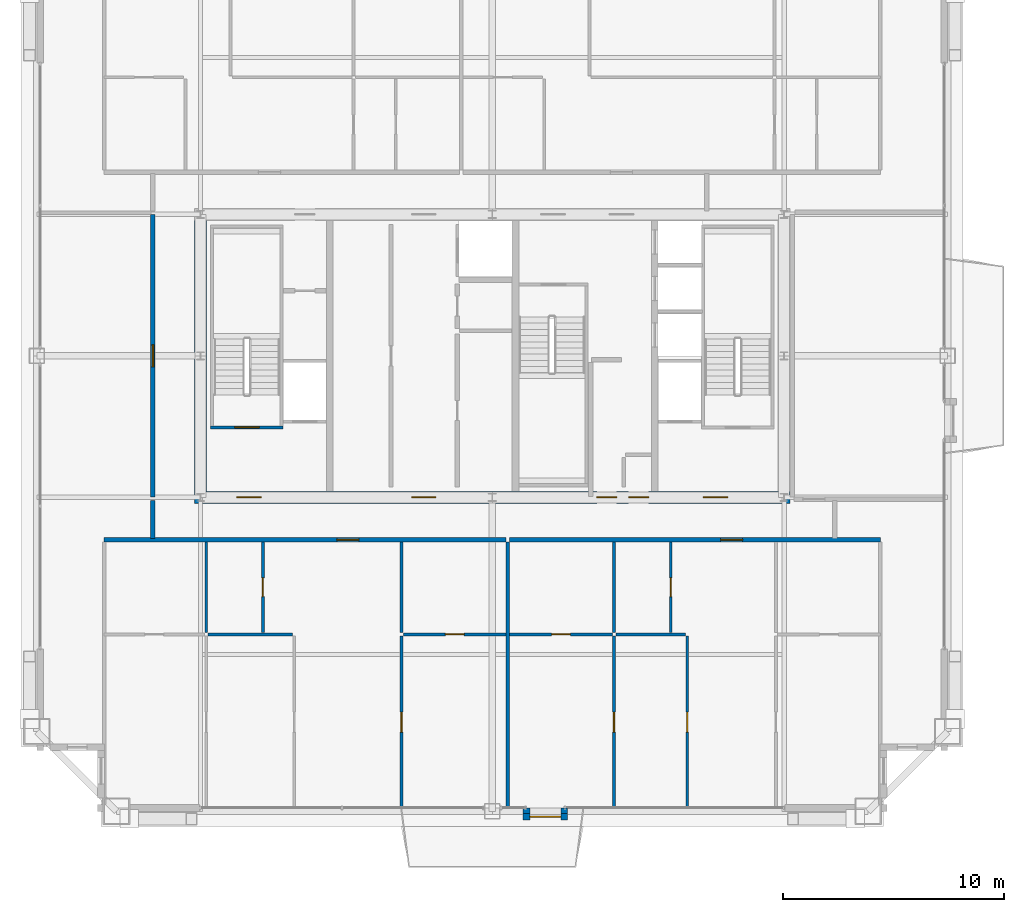
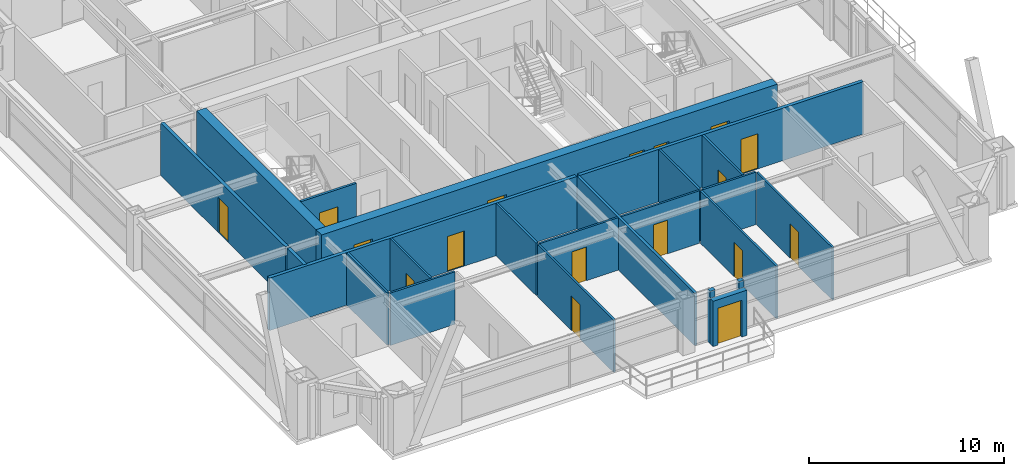
# One storey, part 32 of 37: 23 walls, 17 doors, 17 openings.
"""IFC4 building model written with IfcOpenShell, lengths in metres."""

from ifc_helpers import new_model, si_unit, direction, frame, frame_2d, origin, place, context, subcontext, project, spatial, rectangle, extrude, source, transform, mapped, material, layer, layer_set, type_object, element, fill, save


model = new_model("IFC4")

# Units and contexts
model_context = context("Model", 3, precision=1e-05, world=origin(), true_north=direction((0.0, 1.0)))
body_context = subcontext(model_context, "Body", "Model", "MODEL_VIEW")
ifc_project = project(units=[si_unit("LENGTHUNIT", "METRE"), si_unit("AREAUNIT", "SQUARE_METRE"), si_unit("VOLUMEUNIT", "CUBIC_METRE"), si_unit("PLANEANGLEUNIT", "RADIAN"), si_unit("MASSUNIT", "GRAM", prefix="KILO"), si_unit("THERMODYNAMICTEMPERATUREUNIT", "KELVIN"), si_unit("POWERUNIT", "WATT")], contexts=[model_context])

# Site, building, storey
site_placement = place(None, origin())
site = spatial("IfcSite", under=ifc_project, at=site_placement, CompositionType="ELEMENT")
building_placement = place(site_placement, origin())
building = spatial("IfcBuilding", under=site, at=building_placement, Name="Yuzanri Waterfront Tower", CompositionType="ELEMENT")
storey_placement = place(building_placement, frame((0.0, 0.0, 278.60009765625)))
storey = spatial("IfcBuildingStorey", under=building, at=storey_placement, Name="L74", CompositionType="ELEMENT", Elevation=278.60009765625)

# Wall, opening, door
ifc_material_1 = material(Name="Moisture-Resistant Gypsum Stud Wall", Category="gypsum")
ifc_layer_1 = layer(ifc_material_1, 0.1201171875)
ifc_layer_set_1 = layer_set([ifc_layer_1], Name="Moisture-Resistant Gypsum Stud Wall")
wall_type_1 = type_object("IfcWallType", Name="Bathroom and Kitchen Wet Partition 120", PredefinedType="PARTITIONING", material=ifc_layer_set_1)
wall_1_placement = place(storey_placement, frame((26.625, 13.280029296875, 0.0), z_axis=(0.0, 0.0, 1.0), x_axis=(0.0, 1.0, 0.0)))
wall_1 = element("IfcWall", 1, at=wall_1_placement, inside=storey, type_object=wall_type_1, Name="L74 Partition UW-L74-HS1-SUB-2-E", PredefinedType="PARTITIONING", context=body_context, shape_type="SweptSolid", body=[
    extrude(rectangle(XDim=4.10986328125, YDim=0.1201171875, at=frame_2d((2.054931640625, 0.0))), origin(), (0.0, 0.0, 1.0), 3.27978515625),
])
opening_1_placement = place(wall_1_placement, frame((1.6298828125, 0.0, 0.0)))
opening_1 = element("IfcOpeningElement", 2, at=opening_1_placement, cuts=wall_1, Name="Opening ID-0850", PredefinedType="OPENING", context=body_context, shape_type="SweptSolid", body=[
    extrude(rectangle(XDim=0.85009765625, YDim=2.10009765625, at=frame_2d((0.425048828125, 1.050048828125))), frame((0.0, 0.074951171875, 0.0), z_axis=(0.0, -1.0, 0.0), x_axis=(1.0, 0.0, 0.0)), (0.0, 0.0, 1.0), 0.14990234375),
])
ifc_material_2 = material(Name="Moisture-Resistant Lacquered Timber", Category="wood")
door_type_1 = type_object("IfcDoorType", Name="En-Suite Bathroom and Kitchen Swing Door 850x2100", OperationType="NOTDEFINED", PredefinedType="DOOR", material=ifc_material_2)
shared_shape_1 = source(origin(), body_context, "Body", "SweptSolid", [
    extrude(rectangle(XDim=0.85009765625, YDim=2.10009765625, at=frame_2d((0.425048828125, 1.050048828125))), frame((0.0, 0.02490234375, 0.0), z_axis=(0.0, -1.0, 0.0), x_axis=(1.0, 0.0, 0.0)), (0.0, 0.0, 1.0), 0.050048828125),
])
door_1_placement = place(opening_1_placement, origin())
door_1 = element("IfcDoor", 3, at=door_1_placement, inside=storey, type_object=door_type_1, Name="L74 Suite Interior Room Door", OperationType="SINGLE_SWING_LEFT", OverallHeight=2.10009765625, OverallWidth=0.85009765625, PredefinedType="DOOR", context=body_context, shape_type="MappedRepresentation", body=[
    mapped(shared_shape_1, transform((0.0, 0.0, 0.0), scale=1.0)),
])
fill(opening_1, door_1)

wall_2_placement = place(storey_placement, frame((32.97509765625, 13.199951171875, 0.0), z_axis=(0.0, 0.0, 1.0), x_axis=(1.0, 0.0, 0.0)))
wall_2 = element("IfcWall", 4, at=wall_2_placement, inside=storey, type_object=wall_type_1, Name="L74 Partition UW-L74-HS1-SUB-3-S", PredefinedType="PARTITIONING", context=body_context, shape_type="SweptSolid", body=[
    extrude(rectangle(XDim=4.64697265625, YDim=0.1201171875, at=frame_2d((2.323486328125, 0.0))), origin(), (0.0, 0.0, 1.0), 3.27978515625),
])
opening_2_placement = place(wall_2_placement, frame((1.8984375, 0.0, 0.0)))
opening_2 = element("IfcOpeningElement", 5, at=opening_2_placement, cuts=wall_2, Name="Opening ID-0850", PredefinedType="OPENING", context=body_context, shape_type="SweptSolid", body=[
    extrude(rectangle(XDim=0.85009765625, YDim=2.10009765625, at=frame_2d((0.425048828125, 1.050048828125))), frame((0.0, 0.074951171875, 0.0), z_axis=(0.0, -1.0, 0.0), x_axis=(1.0, 0.0, 0.0)), (0.0, 0.0, 1.0), 0.14990234375),
])
door_2_placement = place(opening_2_placement, origin())
door_2 = element("IfcDoor", 6, at=door_2_placement, inside=storey, type_object=door_type_1, Name="L74 Suite Interior Room Door", OperationType="SINGLE_SWING_RIGHT", OverallHeight=2.10009765625, OverallWidth=0.85009765625, PredefinedType="DOOR", context=body_context, shape_type="MappedRepresentation", body=[
    mapped(shared_shape_1, transform((0.0, 0.0, 0.0), scale=1.0)),
])
fill(opening_2, door_2)

wall_3_placement = place(storey_placement, frame((32.89501953125, 5.35009765625, 0.0), z_axis=(0.0, 0.0, 1.0), x_axis=(0.0, 1.0, 0.0)))
wall_3 = element("IfcWall", 7, at=wall_3_placement, inside=storey, type_object=wall_type_1, Name="L74 Partition UW-L74-HS1-SUB-5-W", PredefinedType="PARTITIONING", context=body_context, shape_type="SweptSolid", body=[
    extrude(rectangle(XDim=7.77001953125, YDim=0.1201171875, at=frame_2d((3.885009765625, 0.0))), origin(), (0.0, 0.0, 1.0), 3.27978515625),
])
opening_3_placement = place(wall_3_placement, frame((3.43505859375, 0.0, 0.0)))
opening_3 = element("IfcOpeningElement", 8, at=opening_3_placement, cuts=wall_3, Name="Opening ID-0900", PredefinedType="OPENING", context=body_context, shape_type="SweptSolid", body=[
    extrude(rectangle(XDim=0.89990234375, YDim=2.14990234375, at=frame_2d((0.449951171875, 1.074951171875))), frame((0.0, 0.074951171875, 0.0), z_axis=(0.0, -1.0, 0.0), x_axis=(1.0, 0.0, 0.0)), (0.0, 0.0, 1.0), 0.14990234375),
])
ifc_material_3 = material(Name="Stained Walnut Veneer Timber", Category="wood")
door_type_2 = type_object("IfcDoorType", Name="Bedroom and Study Interior Swing Door 900x2150", OperationType="NOTDEFINED", PredefinedType="DOOR", material=ifc_material_3)
shared_shape_2 = source(origin(), body_context, "Body", "SweptSolid", [
    extrude(rectangle(XDim=0.89990234375, YDim=2.14990234375, at=frame_2d((0.449951171875, 1.074951171875))), frame((0.0, 0.02490234375, 0.0), z_axis=(0.0, -1.0, 0.0), x_axis=(1.0, 0.0, 0.0)), (0.0, 0.0, 1.0), 0.050048828125),
])
door_3_placement = place(opening_3_placement, origin())
door_3 = element("IfcDoor", 9, at=door_3_placement, inside=storey, type_object=door_type_2, Name="L74 Suite Interior Room Door", OperationType="SINGLE_SWING_RIGHT", OverallHeight=2.14990234375, OverallWidth=0.89990234375, PredefinedType="DOOR", context=body_context, shape_type="MappedRepresentation", body=[
    mapped(shared_shape_2, transform((0.0, 0.0, 0.0), scale=1.0)),
])
fill(opening_3, door_3)

wall_4_placement = place(storey_placement, frame((37.781982421875, 13.199951171875, 0.0), z_axis=(0.0, 0.0, 1.0), x_axis=(1.0, 0.0, 0.0)))
wall_4 = element("IfcWall", 10, at=wall_4_placement, inside=storey, type_object=wall_type_1, Name="L74 Partition UW-L74-HS2-SUB-1-S", PredefinedType="PARTITIONING", context=body_context, shape_type="SweptSolid", body=[
    extrude(rectangle(XDim=4.64697265625, YDim=0.1201171875, at=frame_2d((2.323486328125, 0.0))), origin(), (0.0, 0.0, 1.0), 3.27978515625),
])
opening_4_placement = place(wall_4_placement, frame((1.8984375, 0.0, 0.0)))
opening_4 = element("IfcOpeningElement", 11, at=opening_4_placement, cuts=wall_4, Name="Opening ID-0850", PredefinedType="OPENING", context=body_context, shape_type="SweptSolid", body=[
    extrude(rectangle(XDim=0.85009765625, YDim=2.10009765625, at=frame_2d((0.425048828125, 1.050048828125))), frame((0.0, 0.074951171875, 0.0), z_axis=(0.0, -1.0, 0.0), x_axis=(1.0, 0.0, 0.0)), (0.0, 0.0, 1.0), 0.14990234375),
])
door_4_placement = place(opening_4_placement, origin())
door_4 = element("IfcDoor", 12, at=door_4_placement, inside=storey, type_object=door_type_1, Name="L74 Suite Interior Room Door", OperationType="SINGLE_SWING_LEFT", OverallHeight=2.10009765625, OverallWidth=0.85009765625, PredefinedType="DOOR", context=body_context, shape_type="MappedRepresentation", body=[
    mapped(shared_shape_1, transform((0.0, 0.0, 0.0), scale=1.0)),
])
fill(opening_4, door_4)

wall_5_placement = place(storey_placement, frame((45.069091796875, 13.280029296875, 0.0), z_axis=(0.0, 0.0, 1.0), x_axis=(0.0, 1.0, 0.0)))
wall_5 = element("IfcWall", 13, at=wall_5_placement, inside=storey, type_object=wall_type_1, Name="L74 Partition UW-L74-HS2-SUB-2-E", PredefinedType="PARTITIONING", context=body_context, shape_type="SweptSolid", body=[
    extrude(rectangle(XDim=4.10986328125, YDim=0.1201171875, at=frame_2d((2.054931640625, 0.0))), origin(), (0.0, 0.0, 1.0), 3.27978515625),
])
opening_5_placement = place(wall_5_placement, frame((1.6298828125, 0.0, 0.0)))
opening_5 = element("IfcOpeningElement", 14, at=opening_5_placement, cuts=wall_5, Name="Opening ID-0850", PredefinedType="OPENING", context=body_context, shape_type="SweptSolid", body=[
    extrude(rectangle(XDim=0.85009765625, YDim=2.10009765625, at=frame_2d((0.425048828125, 1.050048828125))), frame((0.0, 0.074951171875, 0.0), z_axis=(0.0, -1.0, 0.0), x_axis=(1.0, 0.0, 0.0)), (0.0, 0.0, 1.0), 0.14990234375),
])
door_5_placement = place(opening_5_placement, origin())
door_5 = element("IfcDoor", 15, at=door_5_placement, inside=storey, type_object=door_type_1, Name="L74 Suite Interior Room Door", OperationType="SINGLE_SWING_RIGHT", OverallHeight=2.10009765625, OverallWidth=0.85009765625, PredefinedType="DOOR", context=body_context, shape_type="MappedRepresentation", body=[
    mapped(shared_shape_1, transform((0.0, 0.0, 0.0), scale=1.0)),
])
fill(opening_5, door_5)

wall_6_placement = place(storey_placement, frame((42.509033203125, 5.35009765625, 0.0), z_axis=(0.0, 0.0, 1.0), x_axis=(0.0, 1.0, 0.0)))
wall_6 = element("IfcWall", 16, at=wall_6_placement, inside=storey, type_object=wall_type_1, Name="L74 Partition UW-L74-HS2-SUB-4-E", PredefinedType="PARTITIONING", context=body_context, shape_type="SweptSolid", body=[
    extrude(rectangle(XDim=7.77001953125, YDim=0.1201171875, at=frame_2d((3.885009765625, 0.0))), origin(), (0.0, 0.0, 1.0), 3.27978515625),
])
opening_6_placement = place(wall_6_placement, frame((3.43505859375, 0.0, 0.0)))
opening_6 = element("IfcOpeningElement", 17, at=opening_6_placement, cuts=wall_6, Name="Opening ID-0900", PredefinedType="OPENING", context=body_context, shape_type="SweptSolid", body=[
    extrude(rectangle(XDim=0.89990234375, YDim=2.14990234375, at=frame_2d((0.449951171875, 1.074951171875))), frame((0.0, 0.074951171875, 0.0), z_axis=(0.0, -1.0, 0.0), x_axis=(1.0, 0.0, 0.0)), (0.0, 0.0, 1.0), 0.14990234375),
])
door_6_placement = place(opening_6_placement, origin())
door_6 = element("IfcDoor", 18, at=door_6_placement, inside=storey, type_object=door_type_2, Name="L74 Suite Interior Room Door", OperationType="SINGLE_SWING_RIGHT", OverallHeight=2.14990234375, OverallWidth=0.89990234375, PredefinedType="DOOR", context=body_context, shape_type="MappedRepresentation", body=[
    mapped(shared_shape_2, transform((0.0, 0.0, 0.0), scale=1.0)),
])
fill(opening_6, door_6)

wall_7_placement = place(storey_placement, frame((45.821044921875, 5.35009765625, 0.0), z_axis=(0.0, 0.0, 1.0), x_axis=(0.0, 1.0, 0.0)))
wall_7 = element("IfcWall", 19, at=wall_7_placement, inside=storey, type_object=wall_type_1, Name="L74 Partition UW-L74-HS2-SUB-6-E", PredefinedType="PARTITIONING", context=body_context, shape_type="SweptSolid", body=[
    extrude(rectangle(XDim=7.77001953125, YDim=0.1201171875, at=frame_2d((3.885009765625, 0.0))), origin(), (0.0, 0.0, 1.0), 3.27978515625),
])
opening_7_placement = place(wall_7_placement, frame((3.43505859375, 0.0, 0.0)))
opening_7 = element("IfcOpeningElement", 20, at=opening_7_placement, cuts=wall_7, Name="Opening ID-0900", PredefinedType="OPENING", context=body_context, shape_type="SweptSolid", body=[
    extrude(rectangle(XDim=0.89990234375, YDim=2.14990234375, at=frame_2d((0.449951171875, 1.074951171875))), frame((0.0, 0.074951171875, 0.0), z_axis=(0.0, -1.0, 0.0), x_axis=(1.0, 0.0, 0.0)), (0.0, 0.0, 1.0), 0.14990234375),
])
door_7_placement = place(opening_7_placement, origin())
door_7 = element("IfcDoor", 21, at=door_7_placement, inside=storey, type_object=door_type_2, Name="L74 Suite Interior Room Door", OperationType="SINGLE_SWING_RIGHT", OverallHeight=2.14990234375, OverallWidth=0.89990234375, PredefinedType="DOOR", context=body_context, shape_type="MappedRepresentation", body=[
    mapped(shared_shape_2, transform((0.0, 0.0, 0.0), scale=1.0)),
])
fill(opening_7, door_7)

ifc_material_4 = material(Name="Honed Chongqing Dark Basalt Stone", Category="masonry")
ifc_layer_2 = layer(ifc_material_4, 0.300048828125)
ifc_layer_set_2 = layer_set([ifc_layer_2], Name="Honed Chongqing Dark Basalt Stone")
wall_type_2 = type_object("IfcWallType", Name="Bronze Rainscreen Insulated Spandrel Portal Wall 300", PredefinedType="SOLIDWALL", material=ifc_layer_set_2)
wall_8_placement = place(storey_placement, frame((38.39990234375, 4.949951171875, 0.0), z_axis=(0.0, 0.0, 1.0), x_axis=(1.0, 0.0, 0.0)))
wall_8 = element("IfcWall", 22, at=wall_8_placement, inside=storey, type_object=wall_type_2, Name="L74 S Terrace Door Portal Wall", PredefinedType="SOLIDWALL", context=body_context, shape_type="SweptSolid", body=[
    extrude(rectangle(XDim=2.0, YDim=0.300048828125, at=frame_2d((1.0, 0.0))), origin(), (0.0, 0.0, 1.0), 2.8349609375),
])
opening_8_placement = place(wall_8_placement, frame((0.300048828125, 0.0, 0.0)))
opening_8 = element("IfcOpeningElement", 23, at=opening_8_placement, cuts=wall_8, Name="Opening TD-1400", PredefinedType="OPENING", context=body_context, shape_type="SweptSolid", body=[
    extrude(rectangle(XDim=1.39990234375, YDim=2.300048828125, at=frame_2d((0.699951171875, 1.14990234375))), frame((0.0, 0.1650390625, 0.0), z_axis=(0.0, -1.0, 0.0), x_axis=(1.0, 0.0, 0.0)), (0.0, 0.0, 1.0), 0.329833984375),
])
ifc_material_5 = material(Name="Anodized Architectural Bronze", Category="metal")
door_type_3 = type_object("IfcDoorType", Name="Anodized Bronze Balcony and Terrace Glazed Double Door 1400x2300", OperationType="NOTDEFINED", PredefinedType="DOOR", material=ifc_material_5)
shared_shape_3 = source(origin(), body_context, "Body", "SweptSolid", [
    extrude(rectangle(XDim=1.39990234375, YDim=2.300048828125, at=frame_2d((0.699951171875, 1.14990234375))), frame((0.0, 0.02490234375, 0.0), z_axis=(0.0, -1.0, 0.0), x_axis=(1.0, 0.0, 0.0)), (0.0, 0.0, 1.0), 0.050048828125),
])
door_8_placement = place(opening_8_placement, origin())
door_8 = element("IfcDoor", 24, at=door_8_placement, inside=storey, type_object=door_type_3, Name="L74 S Terrace Glazed Double Door", OperationType="DOUBLE_DOOR_SINGLE_SWING", OverallHeight=2.300048828125, OverallWidth=1.39990234375, PredefinedType="DOOR", context=body_context, shape_type="MappedRepresentation", body=[
    mapped(shared_shape_3, transform((0.0, 0.0, 0.0), scale=1.0)),
])
fill(opening_8, door_8)

# Wall, openings, doors
ifc_material_6 = material(Name="Concrete C50", Category="concrete")
ifc_layer_3 = layer(ifc_material_6, 0.550048828125)
ifc_layer_set_3 = layer_set([ifc_layer_3], Name="Concrete C50")
wall_type_3 = type_object("IfcWallType", Name="Concrete C50 Upper-Mid Zone Core Shear Wall 550", PredefinedType="SHEAR", material=ifc_layer_set_3)
wall_9_placement = place(storey_placement, frame((23.52490234375, 19.39990234375, 0.0), z_axis=(0.0, 0.0, 1.0), x_axis=(1.0, 0.0, 0.0)))
wall_9 = element("IfcWall", 25, at=wall_9_placement, inside=storey, type_object=wall_type_3, Name="L74 Core South Shear Wall", PredefinedType="SHEAR", context=body_context, shape_type="SweptSolid", body=[
    extrude(rectangle(XDim=26.9501953125, YDim=0.550048828125, at=frame_2d((13.47509765625, 0.0))), origin(), (0.0, 0.0, 1.0), 3.5),
])
opening_9_placement = place(wall_9_placement, frame((1.925048828125, 0.0, 0.0)))
opening_9 = element("IfcOpeningElement", 26, at=opening_9_placement, cuts=wall_9, Name="Opening FD-1100", PredefinedType="OPENING", context=body_context, shape_type="SweptSolid", body=[
    extrude(rectangle(XDim=1.10009765625, YDim=2.199951171875, at=frame_2d((0.550048828125, 1.10009765625))), frame((0.0, 0.2900390625, 0.0), z_axis=(0.0, -1.0, 0.0), x_axis=(1.0, 0.0, 0.0)), (0.0, 0.0, 1.0), 0.579833984375),
])
opening_10_placement = place(wall_9_placement, frame((9.824951171875, 0.0, 0.0)))
opening_10 = element("IfcOpeningElement", 27, at=opening_10_placement, cuts=wall_9, Name="Opening FD-1100", PredefinedType="OPENING", context=body_context, shape_type="SweptSolid", body=[
    extrude(rectangle(XDim=1.10009765625, YDim=2.199951171875, at=frame_2d((0.550048828125, 1.10009765625))), frame((0.0, 0.2900390625, 0.0), z_axis=(0.0, -1.0, 0.0), x_axis=(1.0, 0.0, 0.0)), (0.0, 0.0, 1.0), 0.579833984375),
])
opening_11_placement = place(wall_9_placement, frame((23.02490234375, 0.0, 0.0)))
opening_11 = element("IfcOpeningElement", 28, at=opening_11_placement, cuts=wall_9, Name="Opening FD-1100", PredefinedType="OPENING", context=body_context, shape_type="SweptSolid", body=[
    extrude(rectangle(XDim=1.10009765625, YDim=2.199951171875, at=frame_2d((0.550048828125, 1.10009765625))), frame((0.0, 0.2900390625, 0.0), z_axis=(0.0, -1.0, 0.0), x_axis=(1.0, 0.0, 0.0)), (0.0, 0.0, 1.0), 0.579833984375),
])
opening_12_placement = place(wall_9_placement, frame((19.64501953125, 0.0, 0.0)))
opening_12 = element("IfcOpeningElement", 29, at=opening_12_placement, cuts=wall_9, Name="Opening FD-0900", PredefinedType="OPENING", context=body_context, shape_type="SweptSolid", body=[
    extrude(rectangle(XDim=0.89990234375, YDim=2.14990234375, at=frame_2d((0.449951171875, 1.074951171875))), frame((0.0, 0.2900390625, 0.0), z_axis=(0.0, -1.0, 0.0), x_axis=(1.0, 0.0, 0.0)), (0.0, 0.0, 1.0), 0.579833984375),
])
opening_13_placement = place(wall_9_placement, frame((18.205078125, 0.0, 0.0)))
opening_13 = element("IfcOpeningElement", 30, at=opening_13_placement, cuts=wall_9, Name="Opening FD-0900", PredefinedType="OPENING", context=body_context, shape_type="SweptSolid", body=[
    extrude(rectangle(XDim=0.89990234375, YDim=2.14990234375, at=frame_2d((0.449951171875, 1.074951171875))), frame((0.0, 0.2900390625, 0.0), z_axis=(0.0, -1.0, 0.0), x_axis=(1.0, 0.0, 0.0)), (0.0, 0.0, 1.0), 0.579833984375),
])
ifc_material_7 = material(Name="Painted Galvanized Fire Steel", Category="steel")
door_type_4 = type_object("IfcDoorType", Name="Smoke-Proof Stair and Lobby Fire Door 1100x2200", OperationType="NOTDEFINED", PredefinedType="DOOR", material=ifc_material_7)
shared_shape_4 = source(origin(), body_context, "Body", "SweptSolid", [
    extrude(rectangle(XDim=1.10009765625, YDim=2.199951171875, at=frame_2d((0.550048828125, 1.10009765625))), frame((0.0, 0.02490234375, 0.0), z_axis=(0.0, -1.0, 0.0), x_axis=(1.0, 0.0, 0.0)), (0.0, 0.0, 1.0), 0.050048828125),
])
door_9_placement = place(opening_9_placement, origin())
door_9 = element("IfcDoor", 31, at=door_9_placement, inside=storey, type_object=door_type_4, Name="L74 West Firefighting Lobby Door", OperationType="SINGLE_SWING_RIGHT", OverallHeight=2.199951171875, OverallWidth=1.10009765625, PredefinedType="DOOR", context=body_context, shape_type="MappedRepresentation", body=[
    mapped(shared_shape_4, transform((0.0, 0.0, 0.0), scale=1.0)),
])
fill(opening_9, door_9)
door_10_placement = place(opening_10_placement, origin())
door_10 = element("IfcDoor", 32, at=door_10_placement, inside=storey, type_object=door_type_4, Name="L74 Central Lift Lobby South Door", OperationType="SINGLE_SWING_LEFT", OverallHeight=2.199951171875, OverallWidth=1.10009765625, PredefinedType="DOOR", context=body_context, shape_type="MappedRepresentation", body=[
    mapped(shared_shape_4, transform((0.0, 0.0, 0.0), scale=1.0)),
])
fill(opening_10, door_10)
door_11_placement = place(opening_11_placement, origin())
door_11 = element("IfcDoor", 33, at=door_11_placement, inside=storey, type_object=door_type_4, Name="L74 East Firefighting Lobby Door", OperationType="SINGLE_SWING_RIGHT", OverallHeight=2.199951171875, OverallWidth=1.10009765625, PredefinedType="DOOR", context=body_context, shape_type="MappedRepresentation", body=[
    mapped(shared_shape_4, transform((0.0, 0.0, 0.0), scale=1.0)),
])
fill(opening_11, door_11)
ifc_material_8 = material(Name="Painted Galvanized Fire Steel", Category="steel")
door_type_5 = type_object("IfcDoorType", Name="Riser and Service Room Fire Door 900x2150", OperationType="NOTDEFINED", PredefinedType="DOOR", material=ifc_material_8)
shared_shape_5 = source(origin(), body_context, "Body", "SweptSolid", [
    extrude(rectangle(XDim=0.89990234375, YDim=2.14990234375, at=frame_2d((0.449951171875, 1.074951171875))), frame((0.0, 0.02490234375, 0.0), z_axis=(0.0, -1.0, 0.0), x_axis=(1.0, 0.0, 0.0)), (0.0, 0.0, 1.0), 0.050048828125),
])
door_12_placement = place(opening_12_placement, origin())
door_12 = element("IfcDoor", 34, at=door_12_placement, inside=storey, type_object=door_type_5, Name="L74 East Wet Riser Door", OperationType="SINGLE_SWING_LEFT", OverallHeight=2.14990234375, OverallWidth=0.89990234375, PredefinedType="DOOR", context=body_context, shape_type="MappedRepresentation", body=[
    mapped(shared_shape_5, transform((0.0, 0.0, 0.0), scale=1.0)),
])
fill(opening_12, door_12)
door_13_placement = place(opening_13_placement, origin())
door_13 = element("IfcDoor", 35, at=door_13_placement, inside=storey, type_object=door_type_5, Name="L74 Cleaners Store Room", OperationType="SINGLE_SWING_RIGHT", OverallHeight=2.14990234375, OverallWidth=0.89990234375, PredefinedType="DOOR", context=body_context, shape_type="MappedRepresentation", body=[
    mapped(shared_shape_5, transform((0.0, 0.0, 0.0), scale=1.0)),
])
fill(opening_13, door_13)

# Wall, opening, door
ifc_material_9 = material(Name="Concrete C40", Category="concrete")
ifc_layer_4 = layer(ifc_material_9, 0.139892578125)
ifc_layer_set_4 = layer_set([ifc_layer_4], Name="Concrete C40")
wall_type_4 = type_object("IfcWallType", Name="Core Stair Liner and Hoistway Shaft Wall 140", PredefinedType="SOLIDWALL", material=ifc_layer_set_4)
wall_10_placement = place(storey_placement, frame((24.260009765625, 22.570068359375, 0.0), z_axis=(0.0, 0.0, 1.0), x_axis=(1.0, 0.0, 0.0)))
wall_10 = element("IfcWall", 36, at=wall_10_placement, inside=storey, type_object=wall_type_4, Name="L74 Shaft Wall STW-L74-ST-01-S", PredefinedType="SOLIDWALL", context=body_context, shape_type="SweptSolid", body=[
    extrude(rectangle(XDim=3.280029296875, YDim=0.139892578125, at=frame_2d((1.64013671875, 0.0))), origin(), (0.0, 0.0, 1.0), 3.27978515625),
])
opening_14_placement = place(wall_10_placement, frame((1.090087890625, 0.0, 0.0)))
opening_14 = element("IfcOpeningElement", 37, at=opening_14_placement, cuts=wall_10, Name="Opening FD-1100", PredefinedType="OPENING", context=body_context, shape_type="SweptSolid", body=[
    extrude(rectangle(XDim=1.10009765625, YDim=2.199951171875, at=frame_2d((0.550048828125, 1.10009765625))), frame((0.0, 0.0849609375, 0.0), z_axis=(0.0, -1.0, 0.0), x_axis=(1.0, 0.0, 0.0)), (0.0, 0.0, 1.0), 0.169677734375),
])
door_14_placement = place(opening_14_placement, origin())
door_14 = element("IfcDoor", 38, at=door_14_placement, inside=storey, type_object=door_type_4, Name="L74 Stair ST-01 Fire Door", OperationType="SINGLE_SWING_LEFT", OverallHeight=2.199951171875, OverallWidth=1.10009765625, PredefinedType="DOOR", context=body_context, shape_type="MappedRepresentation", body=[
    mapped(shared_shape_4, transform((0.0, 0.0, 0.0), scale=1.0)),
])
fill(opening_14, door_14)

ifc_material_10 = material(Name="Autoclaved Aerated Concrete Blockwork", Category="masonry")
ifc_layer_5 = layer(ifc_material_10, 0.199951171875)
ifc_layer_set_5 = layer_set([ifc_layer_5], Name="Autoclaved Aerated Concrete Blockwork")
wall_type_5 = type_object("IfcWallType", Name="Corridor and Unit Party Fire Wall 200", PredefinedType="PARTITIONING", material=ifc_layer_set_5)
wall_11_placement = place(storey_placement, frame((19.43994140625, 17.489990234375, 0.0), z_axis=(0.0, 0.0, 1.0), x_axis=(1.0, 0.0, 0.0)))
wall_11 = element("IfcWall", 39, at=wall_11_placement, inside=storey, type_object=wall_type_5, Name="L74 Partition UW-L74-HS1-CN", PredefinedType="PARTITIONING", context=body_context, shape_type="SweptSolid", body=[
    extrude(rectangle(XDim=18.18212890625, YDim=0.199951171875, at=frame_2d((9.091064453125, 0.0))), origin(), (0.0, 0.0, 1.0), 3.27978515625),
])
opening_15_placement = place(wall_11_placement, frame((10.528076171875, 0.0, 0.0)))
opening_15 = element("IfcOpeningElement", 40, at=opening_15_placement, cuts=wall_11, Name="Opening FD-1000", PredefinedType="OPENING", context=body_context, shape_type="SweptSolid", body=[
    extrude(rectangle(XDim=1.0, YDim=2.199951171875, at=frame_2d((0.5, 1.10009765625))), frame((0.0, 0.11474609375, 0.0), z_axis=(0.0, -1.0, 0.0), x_axis=(1.0, 0.0, 0.0)), (0.0, 0.0, 1.0), 0.229736328125),
])
ifc_material_11 = material(Name="Engineered Oak Fire-Rated Timber", Category="wood")
door_type_6 = type_object("IfcDoorType", Name="Guestroom and Apartment Entrance Fire Door 1000x2200", OperationType="NOTDEFINED", PredefinedType="DOOR", material=ifc_material_11)
shared_shape_6 = source(origin(), body_context, "Body", "SweptSolid", [
    extrude(rectangle(XDim=1.0, YDim=2.199951171875, at=frame_2d((0.5, 1.10009765625))), frame((0.0, 0.02490234375, 0.0), z_axis=(0.0, -1.0, 0.0), x_axis=(1.0, 0.0, 0.0)), (0.0, 0.0, 1.0), 0.050048828125),
])
door_15_placement = place(opening_15_placement, origin())
door_15 = element("IfcDoor", 41, at=door_15_placement, inside=storey, type_object=door_type_6, Name="L74 Apartment Living and Dining Salon Entrance Door", OperationType="SINGLE_SWING_LEFT", OverallHeight=2.199951171875, OverallWidth=1.0, PredefinedType="DOOR", context=body_context, shape_type="MappedRepresentation", body=[
    mapped(shared_shape_6, transform((0.0, 0.0, 0.0), scale=1.0)),
])
fill(opening_15, door_15)

wall_12_placement = place(storey_placement, frame((37.781982421875, 17.489990234375, 0.0), z_axis=(0.0, 0.0, 1.0), x_axis=(1.0, 0.0, 0.0)))
wall_12 = element("IfcWall", 42, at=wall_12_placement, inside=storey, type_object=wall_type_5, Name="L74 Partition UW-L74-HS2-CN", PredefinedType="PARTITIONING", context=body_context, shape_type="SweptSolid", body=[
    extrude(rectangle(XDim=16.778076171875, YDim=0.199951171875, at=frame_2d((8.38916015625, 0.0))), origin(), (0.0, 0.0, 1.0), 3.27978515625),
])
opening_16_placement = place(wall_12_placement, frame((9.544921875, 0.0, 0.0)))
opening_16 = element("IfcOpeningElement", 43, at=opening_16_placement, cuts=wall_12, Name="Opening FD-1000", PredefinedType="OPENING", context=body_context, shape_type="SweptSolid", body=[
    extrude(rectangle(XDim=1.0, YDim=2.199951171875, at=frame_2d((0.5, 1.10009765625))), frame((0.0, 0.11474609375, 0.0), z_axis=(0.0, -1.0, 0.0), x_axis=(1.0, 0.0, 0.0)), (0.0, 0.0, 1.0), 0.229736328125),
])
door_16_placement = place(opening_16_placement, origin())
door_16 = element("IfcDoor", 44, at=door_16_placement, inside=storey, type_object=door_type_6, Name="L74 Apartment Living and Dining Salon Entrance Door", OperationType="SINGLE_SWING_RIGHT", OverallHeight=2.199951171875, OverallWidth=1.0, PredefinedType="DOOR", context=body_context, shape_type="MappedRepresentation", body=[
    mapped(shared_shape_6, transform((0.0, 0.0, 0.0), scale=1.0)),
])
fill(opening_16, door_16)

wall_13_placement = place(storey_placement, frame((21.64990234375, 19.409912109375, 0.0), z_axis=(0.0, 0.0, 1.0), x_axis=(0.0, 1.0, 0.0)))
wall_13 = element("IfcWall", 45, at=wall_13_placement, inside=storey, type_object=wall_type_5, Name="L74 Partition UW-L74-045-CW", PredefinedType="PARTITIONING", context=body_context, shape_type="SweptSolid", body=[
    extrude(rectangle(XDim=12.780029296875, YDim=0.199951171875, at=frame_2d((6.39013671875, 0.0))), origin(), (0.0, 0.0, 1.0), 3.27978515625),
])
opening_17_placement = place(wall_13_placement, frame((5.889892578125, 0.0, 0.0)))
opening_17 = element("IfcOpeningElement", 46, at=opening_17_placement, cuts=wall_13, Name="Opening FD-1000", PredefinedType="OPENING", context=body_context, shape_type="SweptSolid", body=[
    extrude(rectangle(XDim=1.0, YDim=2.199951171875, at=frame_2d((0.5, 1.10009765625))), frame((0.0, 0.11474609375, 0.0), z_axis=(0.0, -1.0, 0.0), x_axis=(1.0, 0.0, 0.0)), (0.0, 0.0, 1.0), 0.229736328125),
])
door_17_placement = place(opening_17_placement, origin())
door_17 = element("IfcDoor", 47, at=door_17_placement, inside=storey, type_object=door_type_6, Name="L74 High-Rise W Private Dining Restaurant Entrance Door", OperationType="SINGLE_SWING_LEFT", OverallHeight=2.199951171875, OverallWidth=1.0, PredefinedType="DOOR", context=body_context, shape_type="MappedRepresentation", body=[
    mapped(shared_shape_6, transform((0.0, 0.0, 0.0), scale=1.0)),
])
fill(opening_17, door_17)

# Walls
shared_shape_7 = source(origin(), body_context, "Body", "SweptSolid", [
    extrude(rectangle(XDim=12.25, YDim=0.550048828125, at=frame_2d((6.125, 0.0))), origin(), (0.0, 0.0, 1.0), 3.5),
])
wall_14_placement = place(storey_placement, frame((23.800048828125, 19.675048828125, 0.0), z_axis=(0.0, 0.0, 1.0), x_axis=(0.0, 1.0, 0.0)))
element("IfcWall", 48, at=wall_14_placement, inside=storey, type_object=wall_type_3, Name="L74 Core West Shear Wall", PredefinedType="SHEAR", context=body_context, shape_type="MappedRepresentation", body=[
    mapped(shared_shape_7, transform((0.0, 0.0, 0.0), scale=1.0)),
])
shared_shape_8 = source(origin(), body_context, "Body", "SweptSolid", [
    extrude(rectangle(XDim=0.25, YDim=0.300048828125, at=frame_2d((0.125, 0.0))), origin(), (0.0, 0.0, 1.0), 3.27978515625),
])
for number, where, z_axis, x_axis, name in (
    (49, (38.550048828125, 5.35009765625, 0.0), (0.0, 0.0, 1.0), (0.0, -1.0, 0.0), "L74 S Terrace Portal Left Return"),
    (50, (40.25, 5.10009765625, 0.0), (0.0, 0.0, 1.0), (0.0, 1.0, 0.0), "L74 S Terrace Portal Right Return"),
):
    element("IfcWall", number, at=place(storey_placement, frame(where, z_axis=z_axis, x_axis=x_axis)), inside=storey, type_object=wall_type_2, Name=name, PredefinedType="SOLIDWALL", context=body_context, shape_type="MappedRepresentation", body=[
        mapped(shared_shape_8, transform((0.0, 0.0, 0.0), scale=1.0)),
    ])
ifc_material_12 = material(Name="Gypsum Fireboard Acoustic Stud Wall", Category="gypsum")
ifc_layer_6 = layer(ifc_material_12, 0.159912109375)
ifc_layer_set_6 = layer_set([ifc_layer_6], Name="Gypsum Fireboard Acoustic Stud Wall")
wall_type_6 = type_object("IfcWallType", Name="Acoustic Suite Demising Partition 160", PredefinedType="PARTITIONING", material=ifc_layer_set_6)
shared_shape_9 = source(origin(), body_context, "Body", "SweptSolid", [
    extrude(rectangle(XDim=12.039794921875, YDim=0.159912109375, at=frame_2d((6.02001953125, 0.0))), origin(), (0.0, 0.0, 1.0), 3.27978515625),
])
wall_15_placement = place(storey_placement, frame((37.701904296875, 5.35009765625, 0.0), z_axis=(0.0, 0.0, 1.0), x_axis=(0.0, 1.0, 0.0)))
element("IfcWall", 51, at=wall_15_placement, inside=storey, type_object=wall_type_6, Name="L74-HS1 Party Wall", PredefinedType="PARTITIONING", context=body_context, shape_type="MappedRepresentation", body=[
    mapped(shared_shape_9, transform((0.0, 0.0, 0.0), scale=1.0)),
])
shared_shape_10 = source(origin(), body_context, "Body", "SweptSolid", [
    extrude(rectangle(XDim=4.10986328125, YDim=0.1201171875, at=frame_2d((2.054931640625, 0.0))), origin(), (0.0, 0.0, 1.0), 3.27978515625),
])
for number, where, z_axis, x_axis, name in (
    (52, (24.06494140625, 13.280029296875, 0.0), (0.0, 0.0, 1.0), (0.0, 1.0, 0.0), "L74 Partition UW-L74-HS1-SUB-1-E"),
    (53, (32.89501953125, 13.280029296875, 0.0), (0.0, 0.0, 1.0), (0.0, 1.0, 0.0), "L74 Partition UW-L74-HS1-SUB-3-W"),
    (54, (42.509033203125, 13.280029296875, 0.0), (0.0, 0.0, 1.0), (0.0, 1.0, 0.0), "L74 Partition UW-L74-HS2-SUB-1-E"),
):
    element("IfcWall", number, at=place(storey_placement, frame(where, z_axis=z_axis, x_axis=x_axis)), inside=storey, type_object=wall_type_1, Name=name, PredefinedType="PARTITIONING", context=body_context, shape_type="MappedRepresentation", body=[
        mapped(shared_shape_10, transform((0.0, 0.0, 0.0), scale=1.0)),
    ])
shared_shape_11 = source(origin(), body_context, "Body", "SweptSolid", [
    extrude(rectangle(XDim=3.81494140625, YDim=0.1201171875, at=frame_2d((1.907470703125, 0.0))), origin(), (0.0, 0.0, 1.0), 3.27978515625),
])
wall_16_placement = place(storey_placement, frame((24.14501953125, 13.199951171875, 0.0), z_axis=(0.0, 0.0, 1.0), x_axis=(1.0, 0.0, 0.0)))
element("IfcWall", 55, at=wall_16_placement, inside=storey, type_object=wall_type_1, Name="L74 Partition UW-L74-HS1-SUB-6-N", PredefinedType="PARTITIONING", context=body_context, shape_type="MappedRepresentation", body=[
    mapped(shared_shape_11, transform((0.0, 0.0, 0.0), scale=1.0)),
])
shared_shape_12 = source(origin(), body_context, "Body", "SweptSolid", [
    extrude(rectangle(XDim=3.15185546875, YDim=0.1201171875, at=frame_2d((1.575927734375, 0.0))), origin(), (0.0, 0.0, 1.0), 3.27978515625),
])
wall_17_placement = place(storey_placement, frame((42.589111328125, 13.199951171875, 0.0), z_axis=(0.0, 0.0, 1.0), x_axis=(1.0, 0.0, 0.0)))
element("IfcWall", 56, at=wall_17_placement, inside=storey, type_object=wall_type_1, Name="L74 Partition UW-L74-HS2-SUB-6-N", PredefinedType="PARTITIONING", context=body_context, shape_type="MappedRepresentation", body=[
    mapped(shared_shape_12, transform((0.0, 0.0, 0.0), scale=1.0)),
])
shared_shape_13 = source(origin(), body_context, "Body", "SweptSolid", [
    extrude(rectangle(XDim=1.699951171875, YDim=0.199951171875, at=frame_2d((0.85009765625, 0.0))), origin(), (0.0, 0.0, 1.0), 3.27978515625),
])
wall_18_placement = place(storey_placement, frame((21.64990234375, 17.550048828125, 0.0), z_axis=(0.0, 0.0, 1.0), x_axis=(0.0, 1.0, 0.0)))
element("IfcWall", 57, at=wall_18_placement, inside=storey, type_object=wall_type_5, Name="L74 South Foyer West End Wall", PredefinedType="PARTITIONING", context=body_context, shape_type="MappedRepresentation", body=[
    mapped(shared_shape_13, transform((0.0, 0.0, 0.0), scale=1.0)),
])

save(model, "model.ifc")
